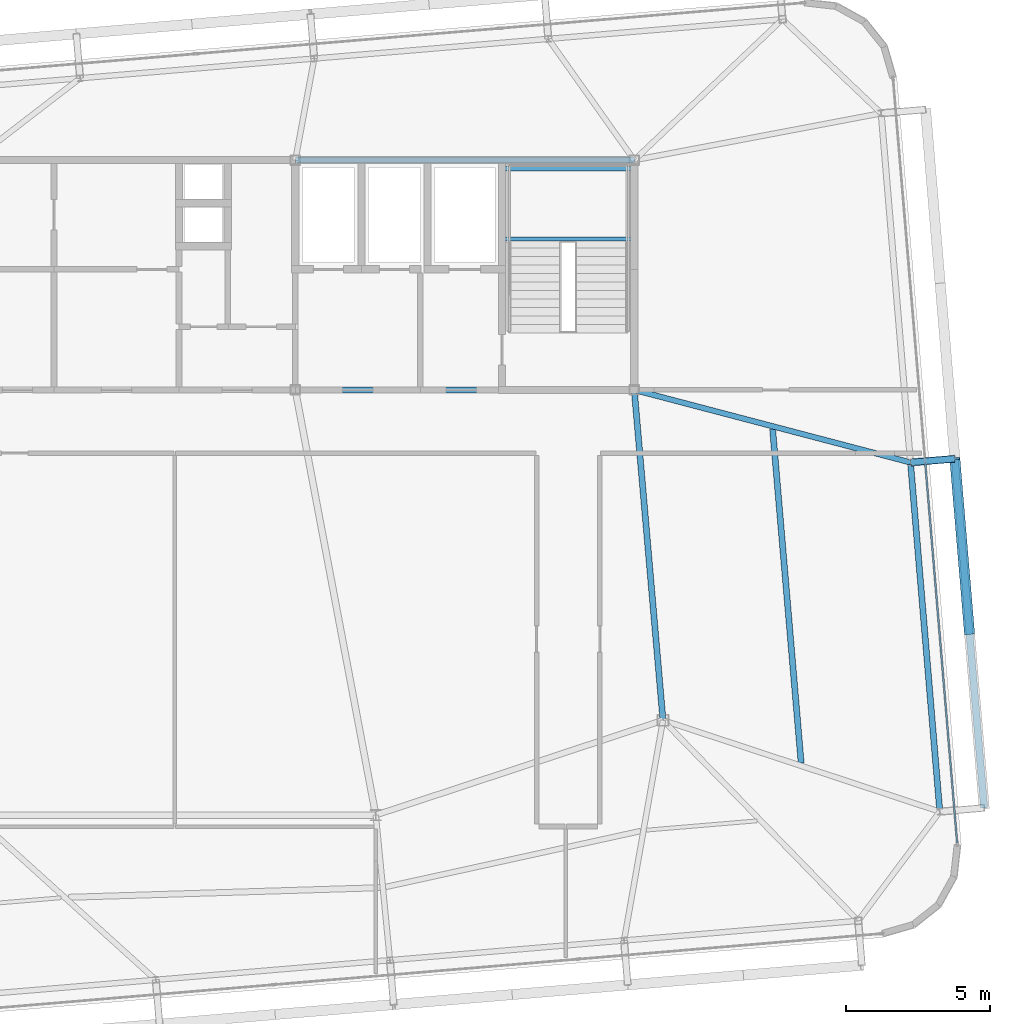
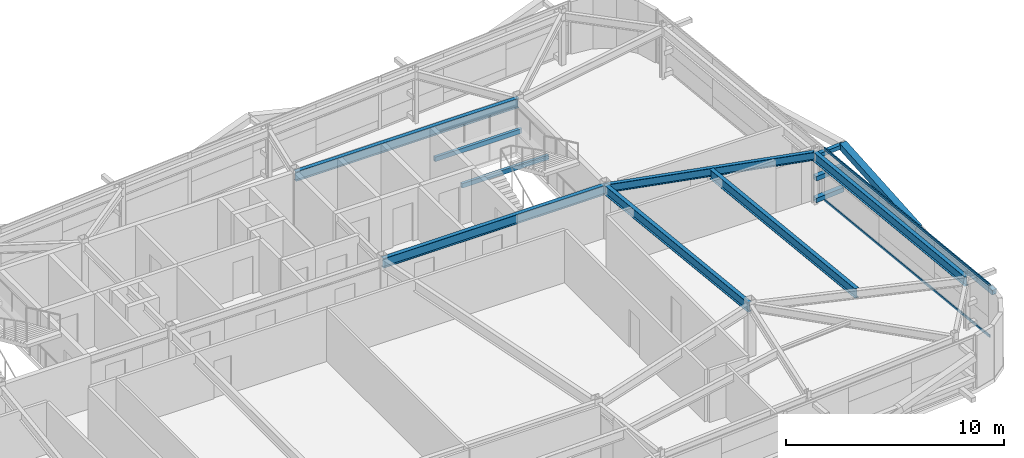
# One storey, part 19 of 39: 8 beams, 7 members, 1 element without a shape of its own.
"""IFC4 building model written with IfcOpenShell, lengths in metres."""

from ifc_helpers import new_model, si_unit, direction, frame, origin, origin_2d, place, context, subcontext, project, spatial, hollow_rectangle, i_section, extrude, source, transform, mapped, material, layer, layer_set, material_profile, profile_set, type_object, element, aggregate, save


model = new_model("IFC4")

# Units and contexts
model_context = context("Model", 3, precision=1e-05, world=origin(), true_north=direction((0.0, 1.0)))
body_context = subcontext(model_context, "Body", "Model", "MODEL_VIEW")
ifc_project = project(units=[si_unit("LENGTHUNIT", "METRE"), si_unit("AREAUNIT", "SQUARE_METRE"), si_unit("VOLUMEUNIT", "CUBIC_METRE"), si_unit("PLANEANGLEUNIT", "RADIAN"), si_unit("MASSUNIT", "GRAM", prefix="KILO")], contexts=[model_context])

# Site, building, storey
site_placement = place(None, origin())
site = spatial("IfcSite", under=ifc_project, at=site_placement, CompositionType="ELEMENT")
building_placement = place(site_placement, origin())
building = spatial("IfcBuilding", under=site, at=building_placement, Name="Taldren Reach Tower", CompositionType="ELEMENT")
storey_placement = place(building_placement, frame((0.0, 0.0, 197.75)))
storey = spatial("IfcBuildingStorey", under=building, at=storey_placement, Name="L60", CompositionType="ELEMENT", Elevation=197.75)

# Beams
ifc_material_1 = material(Name="Steel Gr 350 (350PLUS)", Category="steel")
ifc_material_profile_1 = material_profile(ifc_material_1, i_section(OverallWidth=0.208984375, OverallDepth=0.532958984375, WebThickness=0.01025390625, FlangeThickness=0.015625, at=origin_2d()), Name="530UB92.4")
ifc_profile_set_1 = profile_set([ifc_material_profile_1], Name="Steel Gr 350 (350PLUS)")
beam_type_1 = type_object("IfcBeamType", Name="BM-UB530A", PredefinedType="BEAM", material=ifc_profile_set_1)
shared_shape_1 = source(origin(), body_context, "Body", "SweptSolid", [
    extrude(i_section(OverallWidth=0.208984375, OverallDepth=0.532958984375, WebThickness=0.01025390625, FlangeThickness=0.015625, at=origin_2d()), origin(), (0.0, 0.0, 1.0), 11.800048828125),
])
for number, where, z_axis, x_axis, name in (
    (1, (39.199951171875, 24.0, 2.66357421875), (1.0, 0.0, 0.0), (0.0, 1.0, 0.0), "Core-spine girder L60-SP03"),
    (2, (39.199951171875, 32.0, 2.66357421875), (1.0, 0.0, 0.0), (0.0, 1.0, 0.0), "Core-spine girder L60-SP06"),
):
    element("IfcBeam", number, at=place(storey_placement, frame(where, z_axis=z_axis, x_axis=x_axis)), inside=storey, type_object=beam_type_1, Name=name, PredefinedType="BEAM", context=body_context, shape_type="MappedRepresentation", body=[
        mapped(shared_shape_1, transform((0.0, 0.0, 0.0), scale=1.0)),
    ])
shared_shape_2 = source(origin(), body_context, "Body", "SweptSolid", [
    extrude(i_section(OverallWidth=0.208984375, OverallDepth=0.532958984375, WebThickness=0.01025390625, FlangeThickness=0.015625, at=origin_2d()), origin(), (0.0, 0.0, 1.0), 11.54345703125),
])
beam_1_placement = place(storey_placement, frame((52.0, 12.5, 2.66357421875), z_axis=(-0.086629616365, 0.996240588196, 0.0), x_axis=(-0.996240588196, -0.086629616365, 0.0)))
element("IfcBeam", 3, at=beam_1_placement, inside=storey, type_object=beam_type_1, Name="Core-spine girder L60-SP13", PredefinedType="BEAM", context=body_context, shape_type="MappedRepresentation", body=[
    mapped(shared_shape_2, transform((0.0, 0.0, 0.0), scale=1.0)),
])
ifc_material_profile_2 = material_profile(ifc_material_1, i_section(OverallWidth=0.208984375, OverallDepth=0.528076171875, WebThickness=0.009521484375, FlangeThickness=0.01318359375, at=origin_2d()), Name="530UB82.0")
ifc_profile_set_2 = profile_set([ifc_material_profile_2], Name="Steel Gr 350 (350PLUS)")
beam_type_2 = type_object("IfcBeamType", Name="SP-UB530B", PredefinedType="SPANDREL", material=ifc_profile_set_2)
shared_shape_3 = source(origin(), body_context, "Body", "SweptSolid", [
    extrude(i_section(OverallWidth=0.208984375, OverallDepth=0.528076171875, WebThickness=0.009521484375, FlangeThickness=0.01318359375, at=origin_2d()), origin(), (0.0, 0.0, 1.0), 12.199951171875),
])
beam_2_placement = place(storey_placement, frame((61.63818359375, 9.317626953125, 2.666015625), z_axis=(-0.083688038336, 0.996492003099, 0.0), x_axis=(-0.996492003099, -0.083688038336, 0.0)))
element("IfcBeam", 4, at=beam_2_placement, inside=storey, type_object=beam_type_2, Name="Perimeter spandrel B4 E1-E2 L60", PredefinedType="SPANDREL", context=body_context, shape_type="MappedRepresentation", body=[
    mapped(shared_shape_3, transform((0.0, 0.0, 0.0), scale=1.0)),
])
ifc_material_profile_3 = material_profile(ifc_material_1, i_section(OverallWidth=0.19091796875, OverallDepth=0.4599609375, WebThickness=0.010009765625, FlangeThickness=0.01611328125, at=origin_2d()), Name="460UB82.1")
ifc_profile_set_3 = profile_set([ifc_material_profile_3], Name="Steel Gr 350 (350PLUS)")
beam_type_3 = type_object("IfcBeamType", Name="BM-UB460A", PredefinedType="BEAM", material=ifc_profile_set_3)
shared_shape_4 = source(origin(), body_context, "Body", "SweptSolid", [
    extrude(i_section(OverallWidth=0.19091796875, OverallDepth=0.4599609375, WebThickness=0.010009765625, FlangeThickness=0.01611328125, at=origin_2d()), origin(), (0.0, 0.0, 1.0), 9.943115234375),
])
beam_3_placement = place(storey_placement, frame((51.0, 24.0, 2.699951171875), z_axis=(0.967215285987, -0.253957851923, 0.0), x_axis=(0.253957851923, 0.967215285987, 0.0)))
element("IfcBeam", 5, at=beam_3_placement, inside=storey, type_object=beam_type_3, Name="Primary floor girder B4-E2 L60", PredefinedType="BEAM", context=body_context, shape_type="MappedRepresentation", body=[
    mapped(shared_shape_4, transform((0.0, 0.0, 0.0), scale=1.0)),
])
shared_shape_5 = source(origin(), body_context, "Body", "SweptSolid", [
    extrude(i_section(OverallWidth=0.208984375, OverallDepth=0.532958984375, WebThickness=0.01025390625, FlangeThickness=0.015625, at=origin_2d()), origin(), (0.0, 0.0, 1.0), 11.66650390625),
])
beam_4_placement = place(storey_placement, frame((56.810302734375, 11.01220703125, 2.66357421875), z_axis=(-0.085128704566, 0.996369963246, 0.0), x_axis=(-0.996369963246, -0.085128704566, 0.0)))
element("IfcBeam", 6, at=beam_4_placement, inside=storey, type_object=beam_type_1, Name="Secondary floor beam B4 J7 L60", PredefinedType="BEAM", context=body_context, shape_type="MappedRepresentation", body=[
    mapped(shared_shape_5, transform((0.0, 0.0, 0.0), scale=1.0)),
])

# Members
ifc_material_2 = material(Name="Steel Gr 450 (C450L0)", Category="steel")
ifc_material_profile_4 = material_profile(ifc_material_2, hollow_rectangle(XDim=0.219970703125, YDim=0.219970703125, WallThickness=0.00830078125, at=origin_2d()), Name="220x220x8.2SHS")
ifc_profile_set_4 = profile_set([ifc_material_profile_4], Name="Steel Gr 450 (C450L0)")
member_type_1 = type_object("IfcMemberType", Name="MB-TIE219", PredefinedType="STRUT", material=ifc_profile_set_4)
shared_shape_6 = source(origin(), body_context, "Body", "SweptSolid", [
    extrude(hollow_rectangle(XDim=0.219970703125, YDim=0.219970703125, WallThickness=0.00830078125, at=origin_2d()), origin(), (0.0, 0.0, 1.0), 1.54541015625),
])
member_1_placement = place(storey_placement, frame((60.621826171875, 21.47509765625, 2.64990234375), z_axis=(0.99648887425, 0.083725285883, 0.0), x_axis=(-0.083725285883, 0.99648887425, 0.0)))
element("IfcMember", 7, at=member_1_placement, inside=storey, type_object=member_type_1, Name="Exoskeleton diaphragm tie strut B4-E2 L60", PredefinedType="STRUT", context=body_context, shape_type="MappedRepresentation", body=[
    mapped(shared_shape_6, transform((0.0, 0.0, 0.0), scale=1.0)),
])
ifc_material_3 = material(Name="Steel Gr 350 (C350L0)", Category="steel")
ifc_material_profile_5 = material_profile(ifc_material_3, hollow_rectangle(XDim=0.25, YDim=0.25, WallThickness=0.010009765625, at=origin_2d()), Name="250x250x10.0SHS")
ifc_profile_set_5 = profile_set([ifc_material_profile_5], Name="Steel Gr 350 (C350L0)")
member_type_2 = type_object("IfcMemberType", Name="MB-POST250", PredefinedType="POST", material=ifc_profile_set_5)
shared_shape_7 = source(origin(), body_context, "Body", "SweptSolid", [
    extrude(hollow_rectangle(XDim=0.25, YDim=0.25, WallThickness=0.010009765625, at=origin_2d()), origin(), (0.0, 0.0, 1.0), 12.199951171875),
])
member_2_placement = place(storey_placement, frame((63.1826171875, 9.447265625, 1.43505859375), z_axis=(-0.083668166953, 0.99649367175, 0.0), x_axis=(-0.99649367175, -0.083668166953, 0.0)))
element("IfcMember", 8, at=member_2_placement, inside=storey, type_object=member_type_2, Name="Exoskeleton mid-height ring chord B4-E1 L60", PredefinedType="POST", context=body_context, shape_type="MappedRepresentation", body=[
    mapped(shared_shape_7, transform((0.0, 0.0, 0.0), scale=1.0)),
])
shared_shape_8 = source(origin(), body_context, "Body", "SweptSolid", [
    extrude(hollow_rectangle(XDim=0.25, YDim=0.25, WallThickness=0.010009765625, at=origin_2d()), origin(), (0.0, 0.0, 1.0), 1.54541015625),
])
for number, where, z_axis, x_axis, name in (
    (9, (60.621826171875, 21.47509765625, 0.219970703125), (0.99648887425, 0.083725285883, 0.0), (-0.083725285883, 0.99648887425, 0.0), "Exoskeleton base diaphragm tie strut B4-E2 L60"),
    (10, (60.621826171875, 21.47509765625, 1.43505859375), (0.99648887425, 0.083725285883, 0.0), (-0.083725285883, 0.99648887425, 0.0), "Exoskeleton mid-tier diaphragm tie B4-E2 L60"),
):
    element("IfcMember", number, at=place(storey_placement, frame(where, z_axis=z_axis, x_axis=x_axis)), inside=storey, type_object=member_type_2, Name=name, PredefinedType="POST", context=body_context, shape_type="MappedRepresentation", body=[
        mapped(shared_shape_8, transform((0.0, 0.0, 0.0), scale=1.0)),
    ])
ifc_material_profile_6 = material_profile(ifc_material_2, hollow_rectangle(XDim=0.360107421875, YDim=0.360107421875, WallThickness=0.0126953125, at=origin_2d()), Name="360x360x12.7SHS")
ifc_profile_set_6 = profile_set([ifc_material_profile_6], Name="Steel Gr 450 (C450L0)")
member_type_3 = type_object("IfcMemberType", Name="MB-EXO356", PredefinedType="BRACE", material=ifc_profile_set_6)
shared_shape_9 = source(origin(), body_context, "Body", "SweptSolid", [
    extrude(hollow_rectangle(XDim=0.360107421875, YDim=0.360107421875, WallThickness=0.0126953125, at=origin_2d()), origin(), (0.0, 0.0, 1.0), 6.2197265625),
])
member_3_placement = place(storey_placement, frame((62.672119140625, 15.52587890625, 1.43505859375), z_axis=(-0.082037206294, 0.977302565702, 0.195319205034), x_axis=(-0.996495340012, -0.08364829547, 0.0)))
element("IfcMember", 11, at=member_3_placement, inside=storey, type_object=member_type_3, Name="Exoskeleton Diagrid Brace B4-E1 L60", PredefinedType="BRACE", context=body_context, shape_type="MappedRepresentation", body=[
    mapped(shared_shape_9, transform((0.0, 0.0, 0.0), scale=1.0)),
])

# Curtain wall, members
ifc_material_4 = material(Name="Aluminium and Low-E Glass Unitised System", Category="aluminium")
ifc_layer = layer(ifc_material_4, 0.159912109375)
ifc_layer_set = layer_set([ifc_layer], Name="Aluminium and Low-E Glass Unitised System")
curtain_wall_type = type_object("IfcCurtainWallType", Name="CW-SYS-5", PredefinedType="NOTDEFINED", material=ifc_layer_set)
curtain_wall_placement = place(storey_placement, origin())
curtain_wall = element("IfcCurtainWall", 12, at=curtain_wall_placement, inside=storey, type_object=curtain_wall_type, Name="Unitised curtain wall CW-L60-E", PredefinedType="NOTDEFINED")
ifc_material_5 = material(Name="Anodised Aluminium 6063-T6", Category="aluminium")
ifc_material_profile_7 = material_profile(ifc_material_5, hollow_rectangle(XDim=0.06005859375, YDim=0.135009765625, WallThickness=0.00341796875, at=origin_2d()), Name="ALU-135x60x3.5RHS")
ifc_profile_set_7 = profile_set([ifc_material_profile_7], Name="Anodised Aluminium 6063-T6")
member_type_4 = type_object("IfcMemberType", Name="CW-TRN-150", PredefinedType="USERDEFINED", material=ifc_profile_set_7)
shared_shape_10 = source(origin(), body_context, "Body", "SweptSolid", [
    extrude(hollow_rectangle(XDim=0.06005859375, YDim=0.135009765625, WallThickness=0.00341796875, at=origin_2d()), origin(), (0.0, 0.0, 1.0), 13.295166015625),
])
member_4_placement = place(storey_placement, frame((62.240966796875, 8.234130859375, 0.030029296875), z_axis=(-0.083680700004, 0.996492619364, 0.0), x_axis=(-0.996492619364, -0.083680700004, 0.0)))
member_4 = element("IfcMember", 13, at=member_4_placement, type_object=member_type_4, Name="CW-5 transom 1.1", ObjectType="TRANSOM", PredefinedType="USERDEFINED", context=body_context, shape_type="MappedRepresentation", body=[
    mapped(shared_shape_10, transform((0.0, 0.0, 0.0), scale=1.0)),
])
member_5_placement = place(storey_placement, frame((62.240966796875, 8.234130859375, 2.89990234375), z_axis=(-0.083680700004, 0.996492619364, 0.0), x_axis=(-0.996492619364, -0.083680700004, 0.0)))
member_5 = element("IfcMember", 14, at=member_5_placement, type_object=member_type_4, Name="CW-5 transom 1.2", ObjectType="TRANSOM", PredefinedType="USERDEFINED", context=body_context, shape_type="MappedRepresentation", body=[
    mapped(shared_shape_10, transform((0.0, 0.0, 0.0), scale=1.0)),
])
aggregate(curtain_wall, [member_4, member_5])

# Beams
ifc_material_profile_8 = material_profile(ifc_material_3, hollow_rectangle(XDim=0.14990234375, YDim=0.25, WallThickness=0.009033203125, at=origin_2d()), Name="250x150x9.0RHS")
ifc_profile_set_8 = profile_set([ifc_material_profile_8], Name="Steel Gr 350 (C350L0)")
beam_type_4 = type_object("IfcBeamType", Name="LN-RHS250", PredefinedType="LINTEL", material=ifc_profile_set_8)
shared_shape_11 = source(origin(), body_context, "Body", "SweptSolid", [
    extrude(hollow_rectangle(XDim=0.14990234375, YDim=0.25, WallThickness=0.009033203125, at=origin_2d()), origin(), (0.0, 0.0, 1.0), 4.60009765625),
])
for number, where, z_axis, x_axis, name in (
    (15, (46.39990234375, 29.2548828125, 1.27001953125), (1.0, 0.0, 0.0), (0.0, 1.0, 0.0), "Stair half-landing support beam ST2-L60-1"),
    (16, (46.39990234375, 31.699951171875, 1.27001953125), (1.0, 0.0, 0.0), (0.0, 1.0, 0.0), "Stair half-landing support beam ST2-L60-2"),
):
    element("IfcBeam", number, at=place(storey_placement, frame(where, z_axis=z_axis, x_axis=x_axis)), inside=storey, type_object=beam_type_4, Name=name, PredefinedType="LINTEL", context=body_context, shape_type="MappedRepresentation", body=[
        mapped(shared_shape_11, transform((0.0, 0.0, 0.0), scale=1.0)),
    ])

save(model, "model.ifc")
